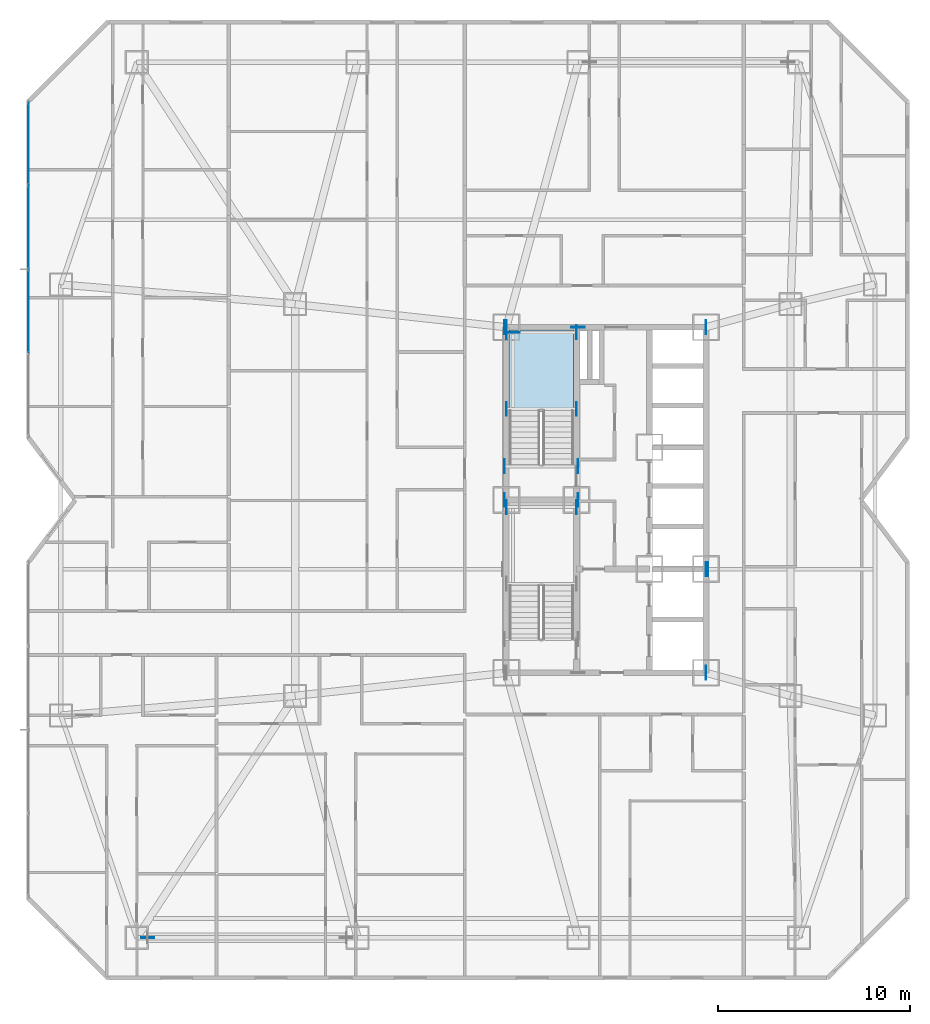
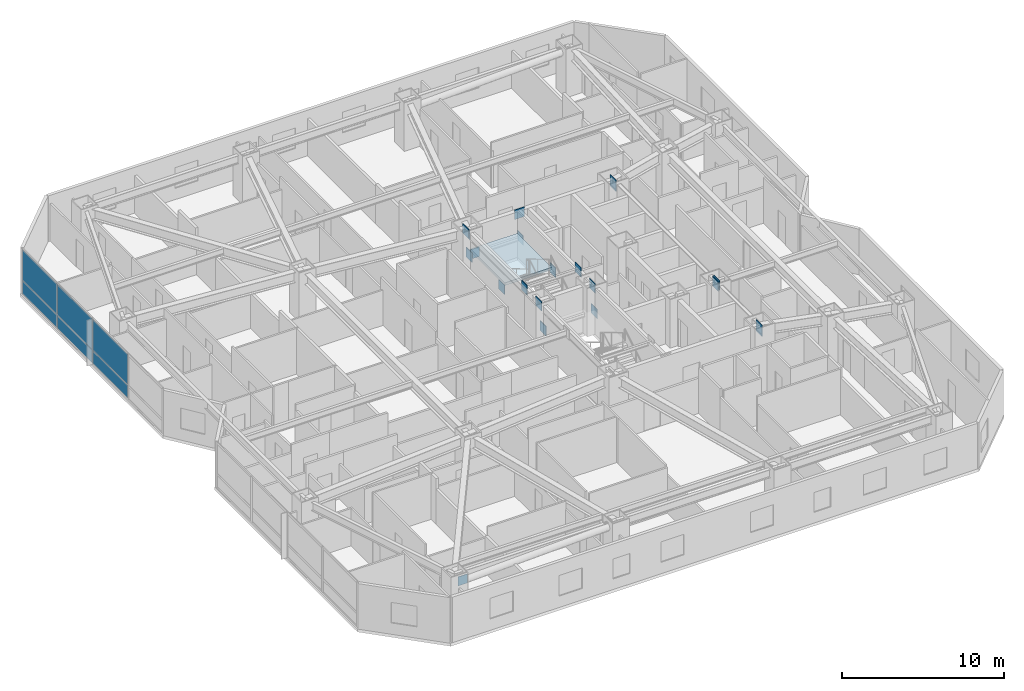
# One storey, part 14 of 25: 27 plates, 1 slab, 2 elements without a shape of their own.
"""IFC4 building model written with IfcOpenShell, lengths in metres."""

from ifc_helpers import new_model, si_unit, direction, frame, origin, origin_2d, place, context, subcontext, project, spatial, polyline, rectangle, outline, extrude, material, layer, layer_set, type_object, element, aggregate, save


model = new_model("IFC4")

# Units and contexts
model_context = context("Model", 3, precision=1e-05, world=origin(), true_north=direction((0.0, 1.0)))
body_context = subcontext(model_context, "Body", "Model", "MODEL_VIEW")
ifc_project = project(units=[si_unit("LENGTHUNIT", "METRE"), si_unit("AREAUNIT", "SQUARE_METRE"), si_unit("VOLUMEUNIT", "CUBIC_METRE"), si_unit("PLANEANGLEUNIT", "RADIAN"), si_unit("MASSUNIT", "GRAM", prefix="KILO")], contexts=[model_context])

# Site, building, storey
site_placement = place(None, origin())
site = spatial("IfcSite", under=ifc_project, at=site_placement, CompositionType="ELEMENT")
building_placement = place(site_placement, origin())
building = spatial("IfcBuilding", under=site, at=building_placement, Name="Khamvora Tower", CompositionType="ELEMENT")
storey_placement = place(building_placement, frame((0.0, 0.0, 36.949951171875)))
storey = spatial("IfcBuildingStorey", under=building, at=storey_placement, Name="L08", CompositionType="ELEMENT", Elevation=36.949951171875)

# Curtain wall, plates
ifc_material_1 = material(Name="Anodised Aluminium 6063-T6", Category="aluminium")
curtain_wall_type = type_object("IfcCurtainWallType", Name="CW-SYS-02", PredefinedType="NOTDEFINED", material=ifc_material_1)
curtain_wall_placement = place(storey_placement, origin())
curtain_wall = element("IfcCurtainWall", 1, at=curtain_wall_placement, inside=storey, type_object=curtain_wall_type, Name="L08 stick curtain wall 05.1", PredefinedType="NOTDEFINED")
ifc_material_2 = material(Name="Low-E Laminated Double Glazing", Category="glass")
ifc_layer_1 = layer(ifc_material_2, 0.031982421875)
ifc_layer_set_1 = layer_set([ifc_layer_1], Name="Low-E Laminated Double Glazing")
plate_type_1 = type_object("IfcPlateType", Name="CW-SYS-02-PNL", PredefinedType="CURTAIN_PANEL", material=ifc_layer_set_1)
plate_1_placement = place(storey_placement, frame((4.110107421875, 37.842041015625, 0.06982421875), z_axis=(0.0, 0.0, 1.0), x_axis=(0.0, 1.0, 0.0)))
plate_1 = element("IfcPlate", 2, at=plate_1_placement, type_object=plate_type_1, Name="CW-02 panel 2.1", PredefinedType="CURTAIN_PANEL", context=body_context, shape_type="SweptSolid", body=[
    extrude(rectangle(XDim=4.294677734375, YDim=0.031982421875, at=origin_2d()), origin(), (0.0, 0.0, 1.0), 0.945068359375),
])
plate_2_placement = place(storey_placement, frame((4.110107421875, 37.842041015625, 1.085205078125), z_axis=(0.0, 0.0, 1.0), x_axis=(0.0, 1.0, 0.0)))
plate_2 = element("IfcPlate", 3, at=plate_2_placement, type_object=plate_type_1, Name="CW-02 panel 2.2", PredefinedType="CURTAIN_PANEL", context=body_context, shape_type="SweptSolid", body=[
    extrude(rectangle(XDim=4.294677734375, YDim=0.031982421875, at=origin_2d()), origin(), (0.0, 0.0, 1.0), 2.27490234375),
])
plate_3_placement = place(storey_placement, frame((4.110107421875, 42.206787109375, 0.06982421875), z_axis=(0.0, 0.0, 1.0), x_axis=(0.0, 1.0, 0.0)))
plate_3 = element("IfcPlate", 4, at=plate_3_placement, type_object=plate_type_1, Name="CW-02 panel 3.1", PredefinedType="CURTAIN_PANEL", context=body_context, shape_type="SweptSolid", body=[
    extrude(rectangle(XDim=4.294677734375, YDim=0.031982421875, at=origin_2d()), origin(), (0.0, 0.0, 1.0), 0.945068359375),
])
plate_4_placement = place(storey_placement, frame((4.110107421875, 42.206787109375, 1.085205078125), z_axis=(0.0, 0.0, 1.0), x_axis=(0.0, 1.0, 0.0)))
plate_4 = element("IfcPlate", 5, at=plate_4_placement, type_object=plate_type_1, Name="CW-02 panel 3.2", PredefinedType="CURTAIN_PANEL", context=body_context, shape_type="SweptSolid", body=[
    extrude(rectangle(XDim=4.294677734375, YDim=0.031982421875, at=origin_2d()), origin(), (0.0, 0.0, 1.0), 2.27490234375),
])
plate_5_placement = place(storey_placement, frame((4.110107421875, 46.55419921875, 0.06982421875), z_axis=(0.0, 0.0, 1.0), x_axis=(0.0, 1.0, 0.0)))
plate_5 = element("IfcPlate", 6, at=plate_5_placement, type_object=plate_type_1, Name="CW-02 panel 4.1", PredefinedType="CURTAIN_PANEL", context=body_context, shape_type="SweptSolid", body=[
    extrude(rectangle(XDim=4.259765625, YDim=0.031982421875, at=origin_2d()), origin(), (0.0, 0.0, 1.0), 0.945068359375),
])
plate_6_placement = place(storey_placement, frame((4.110107421875, 46.55419921875, 1.085205078125), z_axis=(0.0, 0.0, 1.0), x_axis=(0.0, 1.0, 0.0)))
plate_6 = element("IfcPlate", 7, at=plate_6_placement, type_object=plate_type_1, Name="CW-02 panel 4.2", PredefinedType="CURTAIN_PANEL", context=body_context, shape_type="SweptSolid", body=[
    extrude(rectangle(XDim=4.259765625, YDim=0.031982421875, at=origin_2d()), origin(), (0.0, 0.0, 1.0), 2.27490234375),
])
aggregate(curtain_wall, [plate_1, plate_2, plate_3, plate_4, plate_5, plate_6])

# Plates
ifc_material_3 = material(Name="Steel S460", Category="steel")
ifc_layer_2 = layer(ifc_material_3, 0.034912109375)
ifc_layer_set_2 = layer_set([ifc_layer_2], Name="Steel S460")
plate_type_2 = type_object("IfcPlateType", Name="PL-EMB-35", PredefinedType="SHEET", material=ifc_layer_set_2)
for number, where, z_axis, x_axis, name in (
    (8, (29.0, 27.6298828125, 1.13427734375), (0.0, 0.0, 1.0), (1.0, 0.0, 0.0), "L08 core shear wall cast-in embed plate 0256"),
    (9, (32.64990234375, 27.6298828125, 1.13427734375), (0.0, 0.0, 1.0), (1.0, 0.0, 0.0), "L08 core shear wall cast-in embed plate 0257"),
    (10, (29.0, 32.735107421875, 1.13427734375), (0.0, 0.0, 1.0), (1.0, 0.0, 0.0), "L08 core shear wall cast-in embed plate 0258"),
    (11, (32.64990234375, 32.735107421875, 1.13427734375), (0.0, 0.0, 1.0), (1.0, 0.0, 0.0), "L08 core shear wall cast-in embed plate 0259"),
    (12, (29.0, 36.72998046875, 1.13427734375), (0.0, 0.0, 1.0), (1.0, 0.0, 0.0), "L08 core shear wall cast-in embed plate 0260"),
    (13, (32.64990234375, 36.72998046875, 1.13427734375), (0.0, 0.0, 1.0), (1.0, 0.0, 0.0), "L08 core shear wall cast-in embed plate 0261"),
):
    element("IfcPlate", number, at=place(storey_placement, frame(where, z_axis=z_axis, x_axis=x_axis)), inside=storey, type_object=plate_type_2, Name=name, PredefinedType="SHEET", context=body_context, shape_type="SweptSolid", body=[
        extrude(rectangle(XDim=0.034912109375, YDim=0.719970703125, at=origin_2d()), origin(), (0.0, 0.0, 1.0), 0.719970703125),
    ])
plate_7_placement = place(storey_placement, frame((29.35009765625, 36.72998046875, 1.13427734375), z_axis=(0.0, 0.0, 1.0), x_axis=(1.0, 0.0, 0.0)))
element("IfcPlate", 14, at=plate_7_placement, inside=storey, type_object=plate_type_2, Name="L08 core shear wall cast-in embed plate 0262", PredefinedType="SHEET", context=body_context, shape_type="SweptSolid", body=[
    extrude(rectangle(XDim=0.719970703125, YDim=0.034912109375, at=origin_2d()), origin(), (0.0, 0.0, 1.0), 0.719970703125),
])
for number, where, z_axis, x_axis, name in (
    (15, (29.0, 37.0, 2.68408203125), (0.0, 0.0, 1.0), (1.0, 0.0, 0.0), "L08 core shear wall cast-in embed plate 0264"),
    (16, (39.39990234375, 19.0, 2.68408203125), (0.0, 0.0, 1.0), (1.0, 0.0, 0.0), "L08 core shear wall cast-in embed plate 0265"),
    (17, (39.39990234375, 37.0, 2.68408203125), (0.0, 0.0, 1.0), (1.0, 0.0, 0.0), "L08 core shear wall cast-in embed plate 0266"),
    (18, (28.89990234375, 28.0, 2.80419921875), (0.0, 0.0, 1.0), (1.0, 0.0, 0.0), "L08 core shear wall cast-in embed plate 0268"),
    (19, (28.89990234375, 37.0, 2.80419921875), (0.0, 0.0, 1.0), (1.0, 0.0, 0.0), "L08 core shear wall cast-in embed plate 0269"),
    (20, (32.72998046875, 28.0, 2.80419921875), (0.0, 0.0, 1.0), (1.0, 0.0, 0.0), "L08 core shear wall cast-in embed plate 0271"),
):
    element("IfcPlate", number, at=place(storey_placement, frame(where, z_axis=z_axis, x_axis=x_axis)), inside=storey, type_object=plate_type_2, Name=name, PredefinedType="SHEET", context=body_context, shape_type="SweptSolid", body=[
        extrude(rectangle(XDim=0.034912109375, YDim=0.719970703125, at=origin_2d()), origin(), (0.0, 0.0, 1.0), 0.719970703125),
    ])
plate_8_placement = place(storey_placement, frame((32.72998046875, 37.0, 2.80419921875), z_axis=(0.0, 0.0, 1.0), x_axis=(1.0, 0.0, 0.0)))
element("IfcPlate", 21, at=plate_8_placement, inside=storey, type_object=plate_type_2, Name="L08 core shear wall cast-in embed plate 0272", PredefinedType="SHEET", context=body_context, shape_type="SweptSolid", body=[
    extrude(rectangle(XDim=0.719970703125, YDim=0.034912109375, at=origin_2d()), origin(), (0.0, 0.0, 1.0), 0.719970703125),
])
for number, where, z_axis, x_axis, name in (
    (22, (39.39990234375, 19.0, 2.80419921875), (0.0, 0.0, 1.0), (1.0, 0.0, 0.0), "L08 core shear wall cast-in embed plate 0273"),
    (23, (39.39990234375, 24.39990234375, 2.80419921875), (0.0, 0.0, 1.0), (1.0, 0.0, 0.0), "L08 core shear wall cast-in embed plate 0274"),
    (24, (39.39990234375, 37.0, 2.80419921875), (0.0, 0.0, 1.0), (1.0, 0.0, 0.0), "L08 core shear wall cast-in embed plate 0275"),
    (25, (28.89990234375, 29.75, 2.94384765625), (0.0, 0.0, 1.0), (1.0, 0.0, 0.0), "L08 core shear wall cast-in embed plate 0278"),
    (26, (32.72998046875, 29.75, 2.94384765625), (0.0, 0.0, 1.0), (1.0, 0.0, 0.0), "L08 core shear wall cast-in embed plate 0279"),
    (27, (39.4990234375, 24.39990234375, 2.8388671875), (0.0, 0.0, 1.0), (1.0, 0.0, 0.0), "L08 core shear wall cast-in embed plate 0281"),
):
    element("IfcPlate", number, at=place(storey_placement, frame(where, z_axis=z_axis, x_axis=x_axis)), inside=storey, type_object=plate_type_2, Name=name, PredefinedType="SHEET", context=body_context, shape_type="SweptSolid", body=[
        extrude(rectangle(XDim=0.034912109375, YDim=0.719970703125, at=origin_2d()), origin(), (0.0, 0.0, 1.0), 0.719970703125),
    ])
ifc_layer_3 = layer(ifc_material_3, 0.0400390625)
ifc_layer_set_3 = layer_set([ifc_layer_3], Name="Steel S460")
plate_type_3 = type_object("IfcPlateType", Name="PLT-GUS-40", PredefinedType="SHEET", material=ifc_layer_set_3)
plate_9_placement = place(storey_placement, frame((10.330078125, 5.199951171875, 2.3623046875), z_axis=(0.0, 0.0, 1.0), x_axis=(1.0, 0.0, 0.0)))
element("IfcPlate", 28, at=plate_9_placement, inside=storey, type_object=plate_type_3, Name="L08 brace connection node gusset plate 0077", PredefinedType="SHEET", context=body_context, shape_type="SweptSolid", body=[
    extrude(rectangle(XDim=0.679931640625, YDim=0.0400390625, at=origin_2d()), origin(), (0.0, 0.0, 1.0), 0.679931640625),
])

# Stair, slab
ifc_material_4 = material(Name="Concrete C40/50", Category="concrete")
stair_type = type_object("IfcStairType", Name="STR-ST-02", PredefinedType="HALF_TURN_STAIR", material=ifc_material_4)
stair_placement = place(storey_placement, origin())
stair = element("IfcStair", 29, at=stair_placement, inside=storey, type_object=stair_type, Name="L08 North Tower Exit Stair ST-02", PredefinedType="HALF_TURN_STAIR")
ifc_layer_4 = layer(ifc_material_4, 0.199951171875)
ifc_layer_set_4 = layer_set([ifc_layer_4], Name="Concrete C40/50")
slab_type = type_object("IfcSlabType", Name="SLB-LND-200", PredefinedType="LANDING", material=ifc_layer_set_4)
slab_placement = place(storey_placement, frame((0.0, 0.0, 1.625)))
slab = element("IfcSlab", 30, at=slab_placement, type_object=slab_type, Name="ST-02 landing 1", PredefinedType="LANDING", context=body_context, shape_type="SweptSolid", body=[
    extrude(outline(polyline([(32.5, 32.614990234375), (32.5, 36.85009765625), (29.14990234375, 36.85009765625), (29.14990234375, 32.614990234375), (32.5, 32.614990234375)])), origin(), (0.0, 0.0, 1.0), 0.199951171875),
])
aggregate(stair, [slab])

save(model, "model.ifc")
